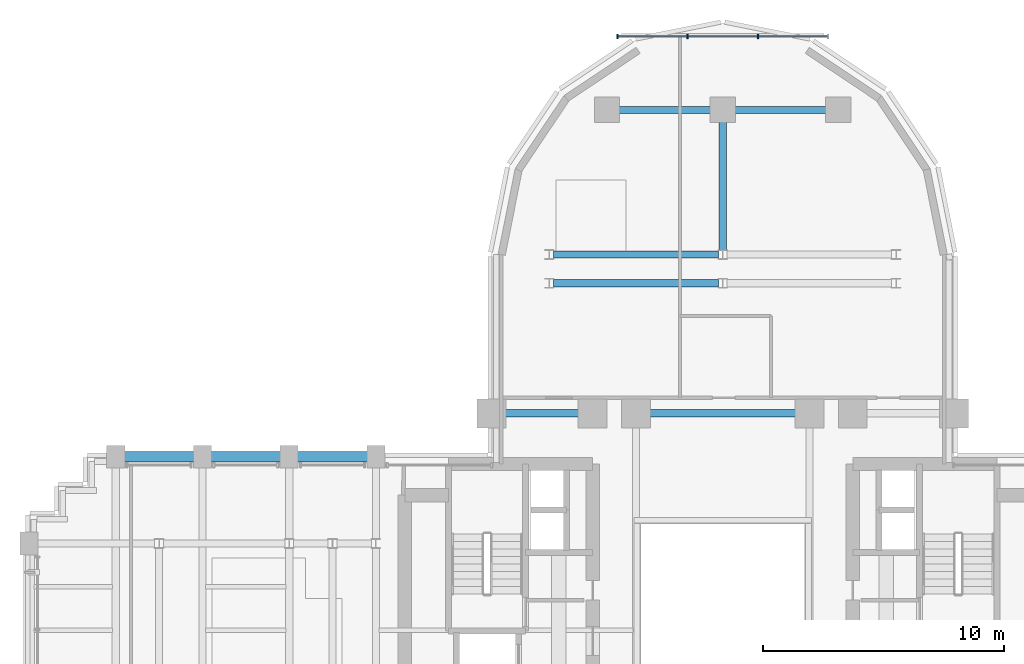
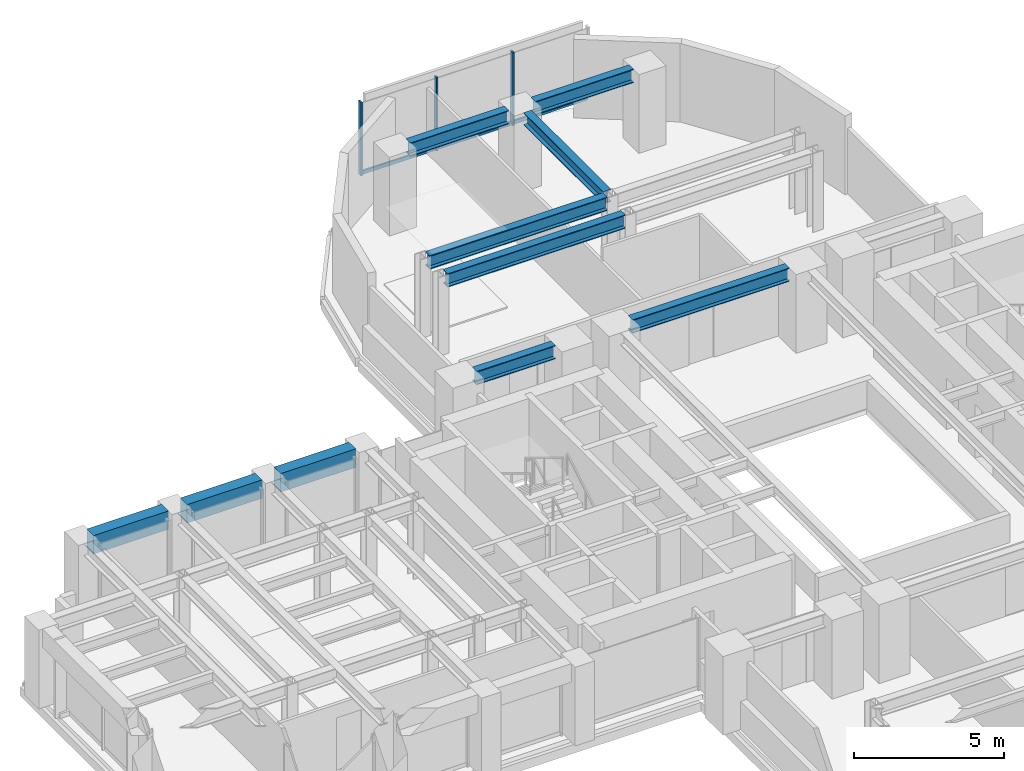
# One storey, part 7 of 16: 10 beams, 6 members, 1 element without a shape of its own.
"""IFC4 building model written with IfcOpenShell, lengths in metres."""

from ifc_helpers import new_model, si_unit, direction, frame, origin, origin_2d, place, context, subcontext, project, spatial, rectangle, i_section, extrude, source, transform, mapped, material, material_profile, profile_set, type_object, element, aggregate, save


model = new_model("IFC4")

# Units and contexts
model_context = context("Model", 3, precision=1e-05, world=origin(), true_north=direction((0.0, 1.0)))
body_context = subcontext(model_context, "Body", "Model", "MODEL_VIEW")
ifc_project = project(units=[si_unit("LENGTHUNIT", "METRE"), si_unit("AREAUNIT", "SQUARE_METRE"), si_unit("VOLUMEUNIT", "CUBIC_METRE"), si_unit("PLANEANGLEUNIT", "RADIAN"), si_unit("MASSUNIT", "GRAM", prefix="KILO")], contexts=[model_context])

# Site, building, storey
site_placement = place(None, origin())
site = spatial("IfcSite", under=ifc_project, at=site_placement, CompositionType="ELEMENT")
building_placement = place(site_placement, origin())
building = spatial("IfcBuilding", under=site, at=building_placement, Name="Keilestroom Media Tower", CompositionType="ELEMENT")
storey_placement = place(building_placement, frame((0.0, 0.0, 30.60009765625)))
storey = spatial("IfcBuildingStorey", under=building, at=storey_placement, Name="L06", CompositionType="ELEMENT", Elevation=30.60009765625)

# Beams
ifc_material_1 = material(Name="Steel S355", Category="steel")
ifc_material_profile_1 = material_profile(ifc_material_1, i_section(OverallWidth=0.300048828125, OverallDepth=0.550048828125, WebThickness=0.012939453125, FlangeThickness=0.029052734375, at=origin_2d()), Name="HEB 550")
ifc_profile_set_1 = profile_set([ifc_material_profile_1], Name="Steel S355")
beam_type_1 = type_object("IfcBeamType", Name="Primary-Structural-Girder-HEB-550", PredefinedType="BEAM", material=ifc_profile_set_1)
shared_shape_1 = source(origin(), body_context, "Body", "SweptSolid", [
    extrude(i_section(OverallWidth=0.300048828125, OverallDepth=0.550048828125, WebThickness=0.012939453125, FlangeThickness=0.029052734375, at=origin_2d()), origin(), (0.0, 0.0, 1.0), 3.7900390625),
])
for number, where, z_axis, x_axis, name in (
    (1, (-4.294921875, 21.60009765625, 2.9248046875), (1.0, 0.0, 0.0), (0.0, 1.0, 0.0), "L06 Beam BG-5 BM-L06-EW-049"),
    (2, (0.5048828125, 21.60009765625, 2.9248046875), (1.0, 0.0, 0.0), (0.0, 1.0, 0.0), "L06 Beam BG-5 BM-L06-EW-050"),
):
    element("IfcBeam", number, at=place(storey_placement, frame(where, z_axis=z_axis, x_axis=x_axis)), inside=storey, type_object=beam_type_1, Name=name, PredefinedType="BEAM", context=body_context, shape_type="MappedRepresentation", body=[
        mapped(shared_shape_1, transform((0.0, 0.0, 0.0), x_axis=(1.0, 0.0, 0.0), y_axis=(0.0, 1.0, 0.0), z_axis=(0.0, 0.0, 1.0), scale=1.0)),
    ])
shared_shape_2 = source(origin(), body_context, "Body", "SweptSolid", [
    extrude(i_section(OverallWidth=0.300048828125, OverallDepth=0.550048828125, WebThickness=0.012939453125, FlangeThickness=0.029052734375, at=origin_2d()), origin(), (0.0, 0.0, 1.0), 6.836181640625),
])
for number, where, z_axis, x_axis, name in (
    (3, (-7.01806640625, 14.39990234375, 2.9248046875), (1.0, 0.0, 0.0), (0.0, 1.0, 0.0), "L06 Beam BG-5 BM-L06-EW-045"),
    (4, (-7.01806640625, 15.60009765625, 2.9248046875), (1.0, 0.0, 0.0), (0.0, 1.0, 0.0), "L06 Beam BG-5 BM-L06-EW-047"),
):
    element("IfcBeam", number, at=place(storey_placement, frame(where, z_axis=z_axis, x_axis=x_axis)), inside=storey, type_object=beam_type_1, Name=name, PredefinedType="BEAM", context=body_context, shape_type="MappedRepresentation", body=[
        mapped(shared_shape_2, transform((0.0, 0.0, 0.0), x_axis=(1.0, 0.0, 0.0), y_axis=(0.0, 1.0, 0.0), z_axis=(0.0, 0.0, 1.0), scale=1.0)),
    ])
shared_shape_3 = source(origin(), body_context, "Body", "SweptSolid", [
    extrude(i_section(OverallWidth=0.300048828125, OverallDepth=0.550048828125, WebThickness=0.012939453125, FlangeThickness=0.029052734375, at=origin_2d()), origin(), (0.0, 0.0, 1.0), 3.0400390625),
])
beam_1_placement = place(storey_placement, frame((-9.02001953125, 9.0, 2.9248046875), z_axis=(1.0, 0.0, 0.0), x_axis=(0.0, 1.0, 0.0)))
element("IfcBeam", 5, at=beam_1_placement, inside=storey, type_object=beam_type_1, Name="L06 Beam BG-5 BM-L06-EW-040", PredefinedType="BEAM", context=body_context, shape_type="MappedRepresentation", body=[
    mapped(shared_shape_3, transform((0.0, 0.0, 0.0), x_axis=(1.0, 0.0, 0.0), y_axis=(0.0, 1.0, 0.0), z_axis=(0.0, 0.0, 1.0), scale=1.0)),
])
shared_shape_4 = source(origin(), body_context, "Body", "SweptSolid", [
    extrude(i_section(OverallWidth=0.300048828125, OverallDepth=0.550048828125, WebThickness=0.012939453125, FlangeThickness=0.029052734375, at=origin_2d()), origin(), (0.0, 0.0, 1.0), 6.0400390625),
])
beam_2_placement = place(storey_placement, frame((-3.02001953125, 9.0, 2.9248046875), z_axis=(1.0, 0.0, 0.0), x_axis=(0.0, 1.0, 0.0)))
element("IfcBeam", 6, at=beam_2_placement, inside=storey, type_object=beam_type_1, Name="L06 Beam BG-5 BM-L06-EW-042", PredefinedType="BEAM", context=body_context, shape_type="MappedRepresentation", body=[
    mapped(shared_shape_4, transform((0.0, 0.0, 0.0), x_axis=(1.0, 0.0, 0.0), y_axis=(0.0, 1.0, 0.0), z_axis=(0.0, 0.0, 1.0), scale=1.0)),
])
ifc_material_2 = material(Name="Precast concrete C40/50", Category="concrete")
ifc_material_profile_2 = material_profile(ifc_material_2, rectangle(XDim=0.449951171875, YDim=0.75, at=origin_2d()), Name="PC 450x750")
ifc_profile_set_2 = profile_set([ifc_material_profile_2], Name="Precast concrete C40/50")
beam_type_2 = type_object("IfcBeamType", Name="Perimeter-Spandrel-Beam-PC-450x750", PredefinedType="SPANDREL", material=ifc_profile_set_2)
shared_shape_5 = source(origin(), body_context, "Body", "SweptSolid", [
    extrude(rectangle(XDim=0.449951171875, YDim=0.75, at=origin_2d()), origin(), (0.0, 0.0, 1.0), 2.889892578125),
])
beam_3_placement = place(storey_placement, frame((-24.844970703125, 7.199951171875, 2.824951171875), z_axis=(1.0, 0.0, 0.0), x_axis=(0.0, 1.0, 0.0)))
element("IfcBeam", 7, at=beam_3_placement, inside=storey, type_object=beam_type_2, Name="L06 Beam SPB-1 BM-L06-EW-034", PredefinedType="SPANDREL", context=body_context, shape_type="MappedRepresentation", body=[
    mapped(shared_shape_5, transform((0.0, 0.0, 0.0), x_axis=(1.0, 0.0, 0.0), y_axis=(0.0, 1.0, 0.0), z_axis=(0.0, 0.0, 1.0), scale=1.0)),
])
shared_shape_6 = source(origin(), body_context, "Body", "SweptSolid", [
    extrude(rectangle(XDim=0.449951171875, YDim=0.75, at=origin_2d()), origin(), (0.0, 0.0, 1.0), 2.89013671875),
])
for number, where, z_axis, x_axis, name in (
    (8, (-21.2451171875, 7.199951171875, 2.824951171875), (1.0, 0.0, 0.0), (0.0, 1.0, 0.0), "L06 Beam SPB-1 BM-L06-EW-035"),
    (9, (-17.64501953125, 7.199951171875, 2.824951171875), (1.0, 0.0, 0.0), (0.0, 1.0, 0.0), "L06 Beam SPB-1 BM-L06-EW-036"),
):
    element("IfcBeam", number, at=place(storey_placement, frame(where, z_axis=z_axis, x_axis=x_axis)), inside=storey, type_object=beam_type_2, Name=name, PredefinedType="SPANDREL", context=body_context, shape_type="MappedRepresentation", body=[
        mapped(shared_shape_6, transform((0.0, 0.0, 0.0), x_axis=(1.0, 0.0, 0.0), y_axis=(0.0, 1.0, 0.0), z_axis=(0.0, 0.0, 1.0), scale=1.0)),
    ])
ifc_material_profile_3 = material_profile(ifc_material_1, i_section(OverallWidth=0.300048828125, OverallDepth=0.5, WebThickness=0.012451171875, FlangeThickness=0.028076171875, at=origin_2d()), Name="HEB 500")
ifc_profile_set_3 = profile_set([ifc_material_profile_3], Name="Steel S355")
beam_type_3 = type_object("IfcBeamType", Name="Primary-Structural-Girder-HEB-500", PredefinedType="BEAM", material=ifc_profile_set_3)
shared_shape_7 = source(origin(), body_context, "Body", "SweptSolid", [
    extrude(i_section(OverallWidth=0.300048828125, OverallDepth=0.5, WebThickness=0.012451171875, FlangeThickness=0.028076171875, at=origin_2d()), origin(), (0.0, 0.0, 1.0), 5.3115234375),
])
beam_4_placement = place(storey_placement, frame((0.0, 15.783447265625, 2.949951171875), z_axis=(0.0, 1.0, 0.0), x_axis=(-1.0, 0.0, 0.0)))
element("IfcBeam", 10, at=beam_4_placement, inside=storey, type_object=beam_type_3, Name="L06 Beam BG-6 BM-L06-NS-070", PredefinedType="BEAM", context=body_context, shape_type="MappedRepresentation", body=[
    mapped(shared_shape_7, transform((0.0, 0.0, 0.0), x_axis=(1.0, 0.0, 0.0), y_axis=(0.0, 1.0, 0.0), z_axis=(0.0, 0.0, 1.0), scale=1.0)),
])

# Curtain wall, members
ifc_material_3 = material(Name="Anodised Aluminium Alloy", Category="aluminium")
curtain_wall_type = type_object("IfcCurtainWallType", Name="Unitised-Curtain-Wall-CW-6", PredefinedType="NOTDEFINED", material=ifc_material_3)
curtain_wall_placement = place(storey_placement, origin())
curtain_wall = element("IfcCurtainWall", 11, at=curtain_wall_placement, inside=storey, type_object=curtain_wall_type, Name="L06 Curtain Wall CW-6 CW-L06-LN-1", PredefinedType="NOTDEFINED")
ifc_material_profile_4 = material_profile(ifc_material_3, rectangle(XDim=0.06494140625, YDim=0.179931640625, at=origin_2d()), Name="ALU MULLION 65x180")
ifc_profile_set_4 = profile_set([ifc_material_profile_4], Name="Anodised Aluminium Alloy")
member_type_1 = type_object("IfcMemberType", Name="Curtain-Wall-Mullion-CW-6", PredefinedType="MULLION", material=ifc_profile_set_4)
shared_shape_8 = source(origin(), body_context, "Body", "SweptSolid", [
    extrude(rectangle(XDim=0.06494140625, YDim=0.179931640625, at=origin_2d()), origin(), (0.0, 0.0, 1.0), 2.97998046875),
])
member_1_placement = place(storey_placement, frame((-4.367431640625, 24.64990234375, 0.0), z_axis=(0.0, 0.0, 1.0), x_axis=(1.0, 0.0, 0.0)))
member_1 = element("IfcMember", 12, at=member_1_placement, type_object=member_type_1, Name="CW-6 Mullion 00", PredefinedType="MULLION", context=body_context, shape_type="MappedRepresentation", body=[
    mapped(shared_shape_8, transform((0.0, 0.0, 0.0), x_axis=(1.0, 0.0, 0.0), y_axis=(0.0, 1.0, 0.0), z_axis=(0.0, 0.0, 1.0), scale=1.0)),
])
member_2_placement = place(storey_placement, frame((-1.466796875, 24.64990234375, 0.0), z_axis=(0.0, 0.0, 1.0), x_axis=(1.0, 0.0, 0.0)))
member_2 = element("IfcMember", 13, at=member_2_placement, type_object=member_type_1, Name="CW-6 Mullion 01", PredefinedType="MULLION", context=body_context, shape_type="MappedRepresentation", body=[
    mapped(shared_shape_8, transform((0.0, 0.0, 0.0), x_axis=(1.0, 0.0, 0.0), y_axis=(0.0, 1.0, 0.0), z_axis=(0.0, 0.0, 1.0), scale=1.0)),
])
member_3_placement = place(storey_placement, frame((1.466796875, 24.64990234375, 0.0), z_axis=(0.0, 0.0, 1.0), x_axis=(1.0, 0.0, 0.0)))
member_3 = element("IfcMember", 14, at=member_3_placement, type_object=member_type_1, Name="CW-6 Mullion 02", PredefinedType="MULLION", context=body_context, shape_type="MappedRepresentation", body=[
    mapped(shared_shape_8, transform((0.0, 0.0, 0.0), x_axis=(1.0, 0.0, 0.0), y_axis=(0.0, 1.0, 0.0), z_axis=(0.0, 0.0, 1.0), scale=1.0)),
])
ifc_material_profile_5 = material_profile(ifc_material_3, rectangle(XDim=0.06494140625, YDim=0.14990234375, at=origin_2d()), Name="ALU TRANSOM 65x150")
ifc_profile_set_5 = profile_set([ifc_material_profile_5], Name="Anodised Aluminium Alloy")
member_type_2 = type_object("IfcMemberType", Name="Curtain-Wall-Transom-CW-6", PredefinedType="USERDEFINED", material=ifc_profile_set_5)
shared_shape_9 = source(origin(), body_context, "Body", "SweptSolid", [
    extrude(rectangle(XDim=0.06494140625, YDim=0.14990234375, at=origin_2d()), origin(), (0.0, 0.0, 1.0), 2.839599609375),
])
member_4_placement = place(storey_placement, frame((-4.3369140625, 24.64990234375, 0.074951171875), z_axis=(1.0, 0.0, 0.0), x_axis=(0.0, 1.0, 0.0)))
member_4 = element("IfcMember", 15, at=member_4_placement, type_object=member_type_2, Name="CW-6 Transom 00.1", ObjectType="TRANSOM", PredefinedType="USERDEFINED", context=body_context, shape_type="MappedRepresentation", body=[
    mapped(shared_shape_9, transform((0.0, 0.0, 0.0), x_axis=(1.0, 0.0, 0.0), y_axis=(0.0, 1.0, 0.0), z_axis=(0.0, 0.0, 1.0), scale=1.0)),
])
member_5_placement = place(storey_placement, frame((1.497314453125, 24.64990234375, 0.074951171875), z_axis=(1.0, 0.0, 0.0), x_axis=(0.0, 1.0, 0.0)))
member_5 = element("IfcMember", 16, at=member_5_placement, type_object=member_type_2, Name="CW-6 Transom 02.1", ObjectType="TRANSOM", PredefinedType="USERDEFINED", context=body_context, shape_type="MappedRepresentation", body=[
    mapped(shared_shape_9, transform((0.0, 0.0, 0.0), x_axis=(1.0, 0.0, 0.0), y_axis=(0.0, 1.0, 0.0), z_axis=(0.0, 0.0, 1.0), scale=1.0)),
])
shared_shape_10 = source(origin(), body_context, "Body", "SweptSolid", [
    extrude(rectangle(XDim=0.06494140625, YDim=0.14990234375, at=origin_2d()), origin(), (0.0, 0.0, 1.0), 2.87255859375),
])
member_6_placement = place(storey_placement, frame((-1.436279296875, 24.64990234375, 0.074951171875), z_axis=(1.0, 0.0, 0.0), x_axis=(0.0, 1.0, 0.0)))
member_6 = element("IfcMember", 17, at=member_6_placement, type_object=member_type_2, Name="CW-6 Transom 01.1", ObjectType="TRANSOM", PredefinedType="USERDEFINED", context=body_context, shape_type="MappedRepresentation", body=[
    mapped(shared_shape_10, transform((0.0, 0.0, 0.0), x_axis=(1.0, 0.0, 0.0), y_axis=(0.0, 1.0, 0.0), z_axis=(0.0, 0.0, 1.0), scale=1.0)),
])
aggregate(curtain_wall, [member_1, member_2, member_3, member_4, member_6, member_5])

save(model, "model.ifc")
